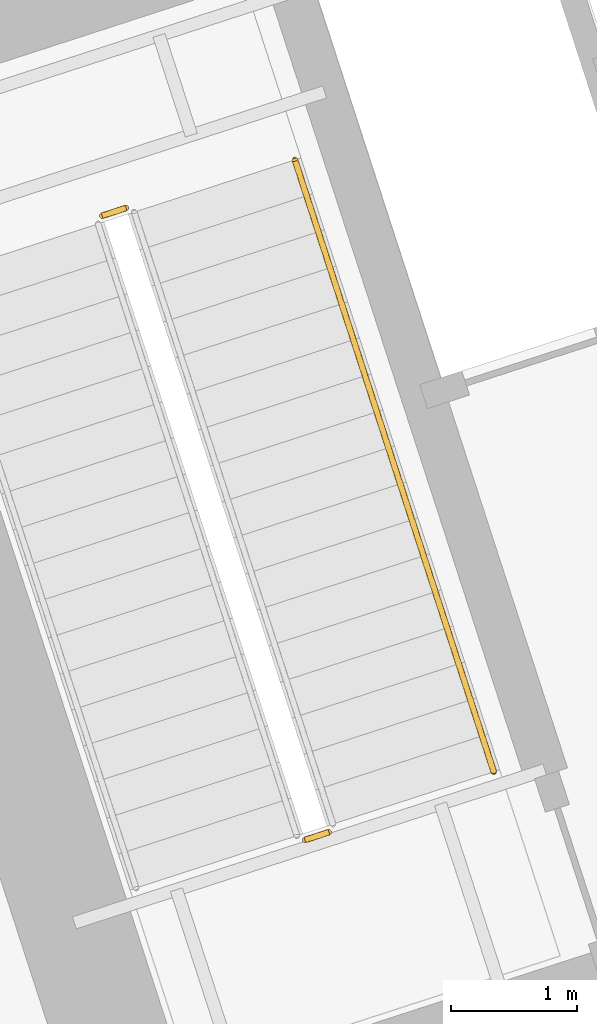
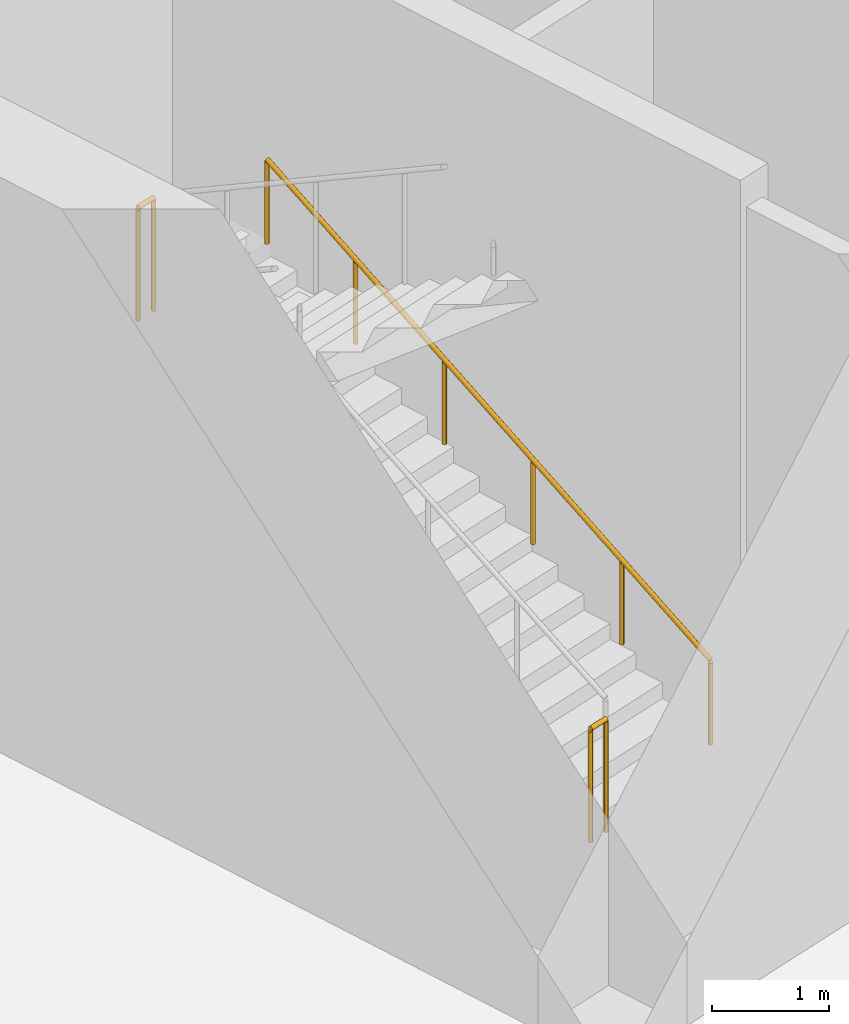
# One storey, part 20 of 20: 3 railings.
"""IFC4 building model written with IfcOpenShell, lengths in metres."""

from ifc_helpers import new_model, si_unit, direction, frame, origin, origin_2d, place, context, subcontext, project, spatial, circle, extrude, material, type_object, element, save


model = new_model("IFC4")

# Units and contexts
model_context = context("Model", 3, precision=1e-05, world=origin(), true_north=direction((0.0, 1.0)))
body_context = subcontext(model_context, "Body", "Model", "MODEL_VIEW")
ifc_project = project(units=[si_unit("LENGTHUNIT", "METRE"), si_unit("AREAUNIT", "SQUARE_METRE"), si_unit("VOLUMEUNIT", "CUBIC_METRE"), si_unit("PLANEANGLEUNIT", "RADIAN"), si_unit("MASSUNIT", "GRAM", prefix="KILO")], contexts=[model_context])

# Site, building, storey
site_placement = place(None, origin())
site = spatial("IfcSite", under=ifc_project, at=site_placement, CompositionType="ELEMENT")
building_placement = place(site_placement, origin())
building = spatial("IfcBuilding", under=site, at=building_placement, Name="Qiaolan Cultural Towers", CompositionType="ELEMENT")
storey_placement = place(building_placement, frame((0.0, 0.0, -6.0)))
storey = spatial("IfcBuildingStorey", under=building, at=storey_placement, Name="B1", CompositionType="ELEMENT", Elevation=-6.0)

# Railings
ifc_material_1 = material(Name="Galvanized Painted Steel Stair Guardrail", Category="steel")
railing_type_1 = type_object("IfcRailingType", Name="RL-STAIR-GRD", PredefinedType="GUARDRAIL", material=ifc_material_1)
for number, where, name in (
    (1, (79.18310546875, 49.6220703125, 3.0), "B1 ST-E2 stair guard 2"),
    (2, (80.7900390625, 44.676513671875, 0.0), "B1 ST-E2 stair guard 4"),
):
    element("IfcRailing", number, at=place(storey_placement, frame(where)), inside=storey, type_object=railing_type_1, Name=name, PredefinedType="GUARDRAIL", context=body_context, shape_type="SweptSolid", body=[
        extrude(circle(Radius=0.02392578125, at=origin_2d()), frame((0.0, 0.0, 1.17578125), z_axis=(-0.951096855055, -0.308892816854, 0.0), x_axis=(0.308892816854, -0.951096855055, 0.0)), (0.0, 0.0, 1.0), 0.199951171875),
        extrude(circle(Radius=0.02099609375, at=origin_2d()), origin(), (0.0, 0.0, 1.0), 1.15185546875),
        extrude(circle(Radius=0.02099609375, at=origin_2d()), frame((-0.190185546875, -0.061767578125, 0.0)), (0.0, 0.0, 1.0), 1.15185546875),
    ])
ifc_material_2 = material(Name="Stainless Steel S30408 Tubular Handrail", Category="steel")
railing_type_2 = type_object("IfcRailingType", Name="RL-STAIR-HR", PredefinedType="HANDRAIL", material=ifc_material_2)
railing_placement = place(storey_placement, frame((82.096435546875, 45.153564453125, 0.166748046875)))
element("IfcRailing", 3, at=railing_placement, inside=storey, type_object=railing_type_2, Name="B1 ST-E2 stair handrail 1", PredefinedType="HANDRAIL", context=body_context, shape_type="SweptSolid", body=[
    extrude(circle(Radius=0.02392578125, at=origin_2d()), frame((0.0, 0.0, 0.8759765625), z_axis=(-0.270123706514, 0.831378416316, 0.48563681086), x_axis=(-0.951059043131, -0.309009217467, 0.0)), (0.0, 0.0, 1.0), 5.833984375),
    extrude(circle(Radius=0.02099609375, at=origin_2d()), origin(), (0.0, 0.0, 1.0), 0.851806640625),
    extrude(circle(Radius=0.02099609375, at=origin_2d()), frame((-0.315185546875, 0.969970703125, 0.566650390625)), (0.0, 0.0, 1.0), 0.851806640625),
    extrude(circle(Radius=0.02099609375, at=origin_2d()), frame((-0.63037109375, 1.940185546875, 1.13330078125)), (0.0, 0.0, 1.0), 0.851806640625),
    extrude(circle(Radius=0.02099609375, at=origin_2d()), frame((-0.945556640625, 2.91015625, 1.699951171875)), (0.0, 0.0, 1.0), 0.851806640625),
    extrude(circle(Radius=0.02099609375, at=origin_2d()), frame((-1.2607421875, 3.88037109375, 2.2666015625)), (0.0, 0.0, 1.0), 0.851806640625),
    extrude(circle(Radius=0.02099609375, at=origin_2d()), frame((-1.575927734375, 4.850341796875, 2.833251953125)), (0.0, 0.0, 1.0), 0.851806640625),
])

save(model, "model.ifc")
